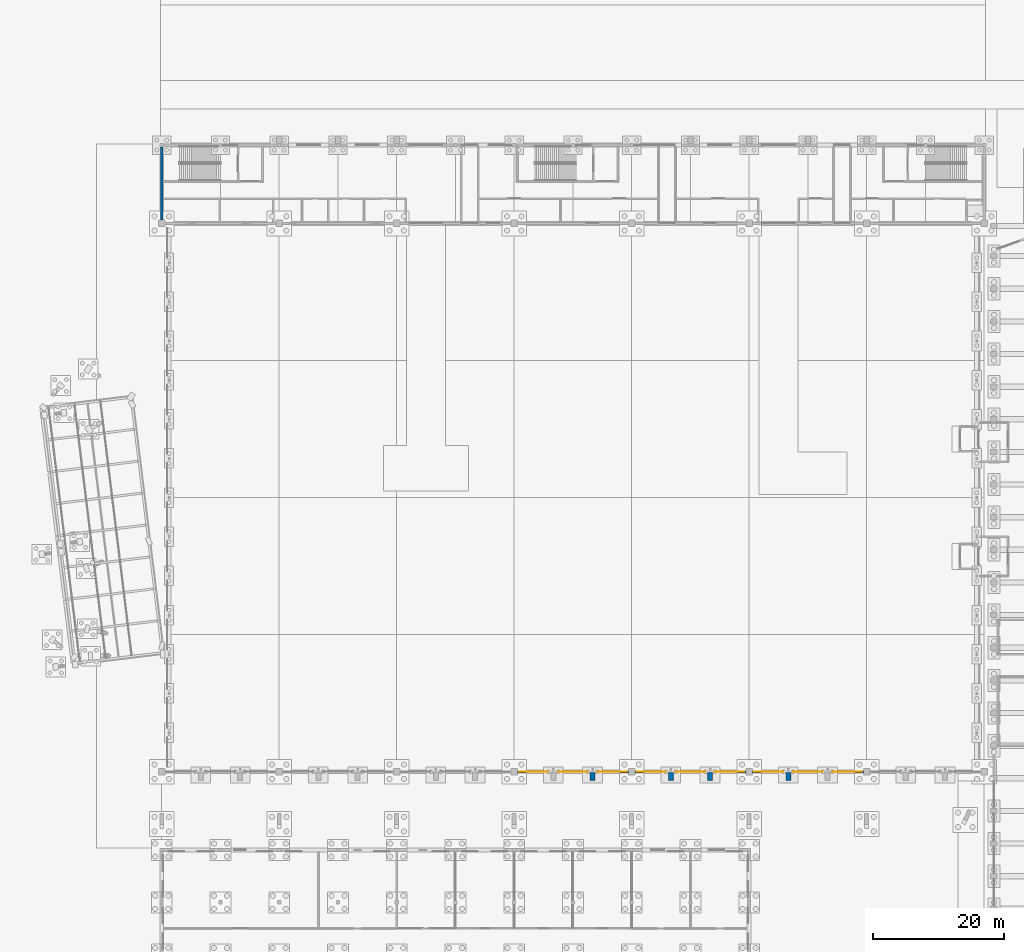
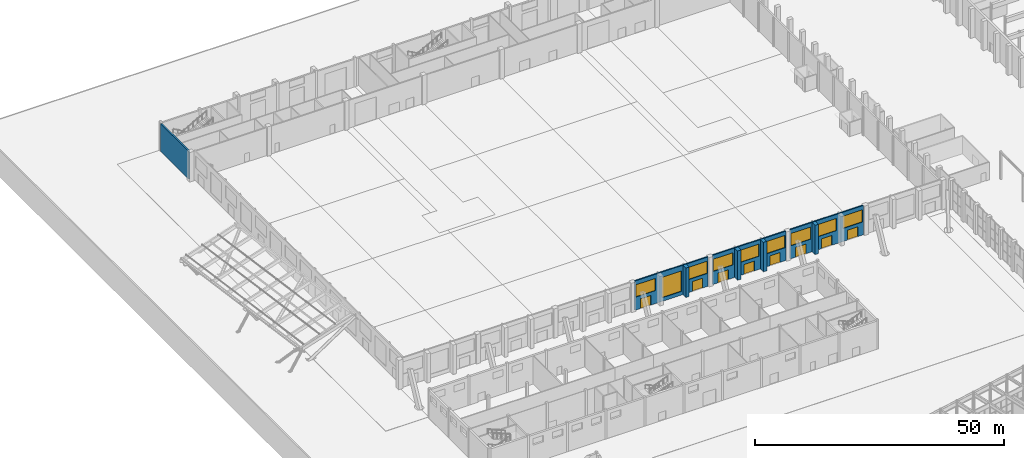
# One storey, part 178 of 239: 9 windows, 8 doors, 8 walls, 17 openings.
"""IFC4 building model written with IfcOpenShell, lengths in metres."""

from ifc_helpers import new_model, si_unit, direction, frame, frame_2d, origin, place, context, subcontext, project, spatial, rectangle, extrude, material, layer, layer_set, type_object, element, fill, save


model = new_model("IFC4")

# Units and contexts
model_context = context("Model", 3, precision=1e-05, world=origin(), true_north=direction((0.0, 1.0)))
body_context = subcontext(model_context, "Body", "Model", "MODEL_VIEW")
ifc_project = project(units=[si_unit("LENGTHUNIT", "METRE"), si_unit("AREAUNIT", "SQUARE_METRE"), si_unit("VOLUMEUNIT", "CUBIC_METRE"), si_unit("PLANEANGLEUNIT", "RADIAN"), si_unit("MASSUNIT", "GRAM", prefix="KILO")], contexts=[model_context])

# Site, building, storey
site_placement = place(None, origin())
site = spatial("IfcSite", under=ifc_project, at=site_placement, CompositionType="ELEMENT")
building_placement = place(site_placement, origin())
building = spatial("IfcBuilding", under=site, at=building_placement, Name="Okhra Congress Centre", CompositionType="ELEMENT")
storey_placement = place(building_placement, origin())
storey = spatial("IfcBuildingStorey", under=building, at=storey_placement, Name="L00", CompositionType="ELEMENT", Elevation=0.0)

# Walls
ifc_material_1 = material(Name="Concrete C35/45", Category="concrete")
ifc_layer_1 = layer(ifc_material_1, 0.800048828125)
ifc_layer_set_1 = layer_set([ifc_layer_1], Name="Buttress fin 800 REI 120 C35/45")
wall_type_1 = type_object("IfcWallType", Name="Buttress fin 800 REI 120 C35/45", PredefinedType="SOLIDWALL", material=ifc_layer_set_1)
for number, where, z_axis, x_axis, name in (
    (1, (94.0, 130.64990234375, 0.0), (0.0, 0.0, 1.0), (0.0, 1.0, 0.0), "EH.WALL.L00.15"),
    (2, (106.0, 130.64990234375, 0.0), (0.0, 0.0, 1.0), (0.0, 1.0, 0.0), "EH.WALL.L00.16"),
    (3, (112.0, 130.64990234375, 0.0), (0.0, 0.0, 1.0), (0.0, 1.0, 0.0), "EH.WALL.L00.17"),
    (4, (124.0, 130.64990234375, 0.0), (0.0, 0.0, 1.0), (0.0, 1.0, 0.0), "EH.WALL.L00.18"),
):
    element("IfcWall", number, at=place(storey_placement, frame(where, z_axis=z_axis, x_axis=x_axis)), inside=storey, type_object=wall_type_1, Name=name, PredefinedType="SOLIDWALL", context=body_context, shape_type="SweptSolid", body=[
        extrude(rectangle(XDim=1.210205078125, YDim=0.800048828125, at=frame_2d((0.60498046875, 0.0))), origin(), (0.0, 0.0, 1.0), 7.199951171875),
    ])

# Wall, openings, doors, windows
ifc_material_2 = material(Name="Insulated metal sandwich panel (mineral wool core)")
ifc_layer_2 = layer(ifc_material_2, 0.300048828125)
ifc_layer_set_2 = layer_set([ifc_layer_2], Name="Insulated wall panel 300")
wall_type_2 = type_object("IfcWallType", Name="Insulated wall panel 300", PredefinedType="SOLIDWALL", material=ifc_layer_set_2)
wall_1_placement = place(storey_placement, frame((82.5, 132.0, 0.0), z_axis=(0.0, 0.0, 1.0), x_axis=(1.0, 0.0, 0.0)))
wall_1 = element("IfcWall", 5, at=wall_1_placement, inside=storey, type_object=wall_type_2, Name="EH.WALL.L00.4", PredefinedType="SOLIDWALL", context=body_context, shape_type="SweptSolid", body=[
    extrude(rectangle(XDim=17.0, YDim=0.300048828125, at=frame_2d((8.5, 0.0))), origin(), (0.0, 0.0, 1.0), 7.199951171875),
])
opening_1_placement = place(wall_1_placement, frame((1.300048828125, 0.0, 0.0)))
opening_1 = element("IfcOpeningElement", 6, at=opening_1_placement, cuts=wall_1, Name="Opening L00-009", PredefinedType="OPENING", context=body_context, shape_type="SweptSolid", body=[
    extrude(rectangle(XDim=2.39990234375, YDim=2.39990234375, at=frame_2d((1.199951171875, 1.199951171875))), frame((0.0, 0.159912109375, 0.0), z_axis=(0.0, -1.0, 0.0), x_axis=(1.0, 0.0, 0.0)), (0.0, 0.0, 1.0), 0.320068359375),
])
opening_2_placement = place(wall_1_placement, frame((0.25, 0.0, 3.199951171875)))
opening_2 = element("IfcOpeningElement", 7, at=opening_2_placement, cuts=wall_1, Name="Opening WN1", PredefinedType="OPENING", context=body_context, shape_type="SweptSolid", body=[
    extrude(rectangle(XDim=4.5, YDim=3.0, at=frame_2d((2.25, 1.5))), frame((0.0, 0.159912109375, 0.0), z_axis=(0.0, -1.0, 0.0), x_axis=(1.0, 0.0, 0.0)), (0.0, 0.0, 1.0), 0.320068359375),
])
opening_3_placement = place(wall_1_placement, frame((6.25, 0.0, 0.89990234375)))
opening_3 = element("IfcOpeningElement", 8, at=opening_3_placement, cuts=wall_1, Name="Opening WN2", PredefinedType="OPENING", context=body_context, shape_type="SweptSolid", body=[
    extrude(rectangle(XDim=4.5, YDim=5.0, at=frame_2d((2.25, 2.5))), frame((0.0, 0.159912109375, 0.0), z_axis=(0.0, -1.0, 0.0), x_axis=(1.0, 0.0, 0.0)), (0.0, 0.0, 1.0), 0.320068359375),
])
opening_4_placement = place(wall_1_placement, frame((13.300048828125, 0.0, 0.0)))
opening_4 = element("IfcOpeningElement", 9, at=opening_4_placement, cuts=wall_1, Name="Opening L00-010", PredefinedType="OPENING", context=body_context, shape_type="SweptSolid", body=[
    extrude(rectangle(XDim=2.39990234375, YDim=2.39990234375, at=frame_2d((1.199951171875, 1.199951171875))), frame((0.0, 0.159912109375, 0.0), z_axis=(0.0, -1.0, 0.0), x_axis=(1.0, 0.0, 0.0)), (0.0, 0.0, 1.0), 0.320068359375),
])
opening_5_placement = place(wall_1_placement, frame((12.25, 0.0, 3.199951171875)))
opening_5 = element("IfcOpeningElement", 10, at=opening_5_placement, cuts=wall_1, Name="Opening WN1", PredefinedType="OPENING", context=body_context, shape_type="SweptSolid", body=[
    extrude(rectangle(XDim=4.5, YDim=3.0, at=frame_2d((2.25, 1.5))), frame((0.0, 0.159912109375, 0.0), z_axis=(0.0, -1.0, 0.0), x_axis=(1.0, 0.0, 0.0)), (0.0, 0.0, 1.0), 0.320068359375),
])
ifc_material_3 = material(Name="Timber door leaves in steel frame", Category="steel")
door_type = type_object("IfcDoorType", Name="Double swing door 2400x2400", OperationType="NOTDEFINED", PredefinedType="DOOR", material=ifc_material_3)
door_1_placement = place(opening_1_placement, frame((2.39990234375, 0.0, 0.0), z_axis=(0.0, 0.0, 1.0), x_axis=(-1.0, 0.0, 0.0)))
door_1 = element("IfcDoor", 11, at=door_1_placement, inside=storey, type_object=door_type, Name="Door L00-009", OperationType="DOUBLE_DOOR_SINGLE_SWING", OverallHeight=2.39990234375, OverallWidth=2.39990234375, PredefinedType="DOOR", context=body_context, shape_type="SweptSolid", body=[
    extrude(rectangle(XDim=2.39990234375, YDim=2.39990234375, at=frame_2d((1.199951171875, 1.199951171875))), frame((0.0, 0.02490234375, 0.0), z_axis=(0.0, -1.0, 0.0), x_axis=(1.0, 0.0, 0.0)), (0.0, 0.0, 1.0), 0.050048828125),
])
fill(opening_1, door_1)
door_2_placement = place(opening_4_placement, frame((2.39990234375, 0.0, 0.0), z_axis=(0.0, 0.0, 1.0), x_axis=(-1.0, 0.0, 0.0)))
door_2 = element("IfcDoor", 12, at=door_2_placement, inside=storey, type_object=door_type, Name="Door L00-010", OperationType="DOUBLE_DOOR_SINGLE_SWING", OverallHeight=2.39990234375, OverallWidth=2.39990234375, PredefinedType="DOOR", context=body_context, shape_type="SweptSolid", body=[
    extrude(rectangle(XDim=2.39990234375, YDim=2.39990234375, at=frame_2d((1.199951171875, 1.199951171875))), frame((0.0, 0.02490234375, 0.0), z_axis=(0.0, -1.0, 0.0), x_axis=(1.0, 0.0, 0.0)), (0.0, 0.0, 1.0), 0.050048828125),
])
fill(opening_4, door_2)
ifc_material_4 = material(Name="Thermally broken aluminium frame, triple glazing", Category="aluminium")
window_type_1 = type_object("IfcWindowType", Name="Fixed window 4500x3000", PartitioningType="SINGLE_PANEL", PredefinedType="WINDOW", material=ifc_material_4)
window_1_placement = place(opening_2_placement, origin())
window_1 = element("IfcWindow", 13, at=window_1_placement, inside=storey, type_object=window_type_1, Name="EH.WIN.L00.10", OverallHeight=3.0, OverallWidth=4.5, PartitioningType="SINGLE_PANEL", PredefinedType="WINDOW", context=body_context, shape_type="SweptSolid", body=[
    extrude(rectangle(XDim=4.5, YDim=3.0, at=frame_2d((2.25, 1.5))), frame((0.0, 0.030029296875, 0.0), z_axis=(0.0, -1.0, 0.0), x_axis=(1.0, 0.0, 0.0)), (0.0, 0.0, 1.0), 0.06005859375),
])
fill(opening_2, window_1)
window_2_placement = place(opening_5_placement, origin())
window_2 = element("IfcWindow", 14, at=window_2_placement, inside=storey, type_object=window_type_1, Name="EH.WIN.L00.12", OverallHeight=3.0, OverallWidth=4.5, PartitioningType="SINGLE_PANEL", PredefinedType="WINDOW", context=body_context, shape_type="SweptSolid", body=[
    extrude(rectangle(XDim=4.5, YDim=3.0, at=frame_2d((2.25, 1.5))), frame((0.0, 0.030029296875, 0.0), z_axis=(0.0, -1.0, 0.0), x_axis=(1.0, 0.0, 0.0)), (0.0, 0.0, 1.0), 0.06005859375),
])
fill(opening_5, window_2)
window_type_2 = type_object("IfcWindowType", Name="Fixed window 4500x5000", PartitioningType="SINGLE_PANEL", PredefinedType="WINDOW", material=ifc_material_4)
window_3_placement = place(opening_3_placement, origin())
window_3 = element("IfcWindow", 15, at=window_3_placement, inside=storey, type_object=window_type_2, Name="EH.WIN.L00.11", OverallHeight=5.0, OverallWidth=4.5, PartitioningType="SINGLE_PANEL", PredefinedType="WINDOW", context=body_context, shape_type="SweptSolid", body=[
    extrude(rectangle(XDim=4.5, YDim=5.0, at=frame_2d((2.25, 2.5))), frame((0.0, 0.030029296875, 0.0), z_axis=(0.0, -1.0, 0.0), x_axis=(1.0, 0.0, 0.0)), (0.0, 0.0, 1.0), 0.06005859375),
])
fill(opening_3, window_3)

wall_2_placement = place(storey_placement, frame((100.5, 132.0, 0.0), z_axis=(0.0, 0.0, 1.0), x_axis=(1.0, 0.0, 0.0)))
wall_2 = element("IfcWall", 16, at=wall_2_placement, inside=storey, type_object=wall_type_2, Name="EH.WALL.L00.5", PredefinedType="SOLIDWALL", context=body_context, shape_type="SweptSolid", body=[
    extrude(rectangle(XDim=17.0, YDim=0.300048828125, at=frame_2d((8.5, 0.0))), origin(), (0.0, 0.0, 1.0), 7.199951171875),
])
opening_6_placement = place(wall_2_placement, frame((1.300048828125, 0.0, 0.0)))
opening_6 = element("IfcOpeningElement", 17, at=opening_6_placement, cuts=wall_2, Name="Opening L00-011", PredefinedType="OPENING", context=body_context, shape_type="SweptSolid", body=[
    extrude(rectangle(XDim=2.39990234375, YDim=2.39990234375, at=frame_2d((1.199951171875, 1.199951171875))), frame((0.0, 0.159912109375, 0.0), z_axis=(0.0, -1.0, 0.0), x_axis=(1.0, 0.0, 0.0)), (0.0, 0.0, 1.0), 0.320068359375),
])
opening_7_placement = place(wall_2_placement, frame((0.25, 0.0, 3.199951171875)))
opening_7 = element("IfcOpeningElement", 18, at=opening_7_placement, cuts=wall_2, Name="Opening WN1", PredefinedType="OPENING", context=body_context, shape_type="SweptSolid", body=[
    extrude(rectangle(XDim=4.5, YDim=3.0, at=frame_2d((2.25, 1.5))), frame((0.0, 0.159912109375, 0.0), z_axis=(0.0, -1.0, 0.0), x_axis=(1.0, 0.0, 0.0)), (0.0, 0.0, 1.0), 0.320068359375),
])
opening_8_placement = place(wall_2_placement, frame((7.300048828125, 0.0, 0.0)))
opening_8 = element("IfcOpeningElement", 19, at=opening_8_placement, cuts=wall_2, Name="Opening L00-012", PredefinedType="OPENING", context=body_context, shape_type="SweptSolid", body=[
    extrude(rectangle(XDim=2.39990234375, YDim=2.39990234375, at=frame_2d((1.199951171875, 1.199951171875))), frame((0.0, 0.159912109375, 0.0), z_axis=(0.0, -1.0, 0.0), x_axis=(1.0, 0.0, 0.0)), (0.0, 0.0, 1.0), 0.320068359375),
])
opening_9_placement = place(wall_2_placement, frame((6.25, 0.0, 3.199951171875)))
opening_9 = element("IfcOpeningElement", 20, at=opening_9_placement, cuts=wall_2, Name="Opening WN1", PredefinedType="OPENING", context=body_context, shape_type="SweptSolid", body=[
    extrude(rectangle(XDim=4.5, YDim=3.0, at=frame_2d((2.25, 1.5))), frame((0.0, 0.159912109375, 0.0), z_axis=(0.0, -1.0, 0.0), x_axis=(1.0, 0.0, 0.0)), (0.0, 0.0, 1.0), 0.320068359375),
])
opening_10_placement = place(wall_2_placement, frame((13.300048828125, 0.0, 0.0)))
opening_10 = element("IfcOpeningElement", 21, at=opening_10_placement, cuts=wall_2, Name="Opening L00-013", PredefinedType="OPENING", context=body_context, shape_type="SweptSolid", body=[
    extrude(rectangle(XDim=2.39990234375, YDim=2.39990234375, at=frame_2d((1.199951171875, 1.199951171875))), frame((0.0, 0.159912109375, 0.0), z_axis=(0.0, -1.0, 0.0), x_axis=(1.0, 0.0, 0.0)), (0.0, 0.0, 1.0), 0.320068359375),
])
opening_11_placement = place(wall_2_placement, frame((12.25, 0.0, 3.199951171875)))
opening_11 = element("IfcOpeningElement", 22, at=opening_11_placement, cuts=wall_2, Name="Opening WN1", PredefinedType="OPENING", context=body_context, shape_type="SweptSolid", body=[
    extrude(rectangle(XDim=4.5, YDim=3.0, at=frame_2d((2.25, 1.5))), frame((0.0, 0.159912109375, 0.0), z_axis=(0.0, -1.0, 0.0), x_axis=(1.0, 0.0, 0.0)), (0.0, 0.0, 1.0), 0.320068359375),
])
door_3_placement = place(opening_6_placement, frame((2.39990234375, 0.0, 0.0), z_axis=(0.0, 0.0, 1.0), x_axis=(-1.0, 0.0, 0.0)))
door_3 = element("IfcDoor", 23, at=door_3_placement, inside=storey, type_object=door_type, Name="Door L00-011", OperationType="DOUBLE_DOOR_SINGLE_SWING", OverallHeight=2.39990234375, OverallWidth=2.39990234375, PredefinedType="DOOR", context=body_context, shape_type="SweptSolid", body=[
    extrude(rectangle(XDim=2.39990234375, YDim=2.39990234375, at=frame_2d((1.199951171875, 1.199951171875))), frame((0.0, 0.02490234375, 0.0), z_axis=(0.0, -1.0, 0.0), x_axis=(1.0, 0.0, 0.0)), (0.0, 0.0, 1.0), 0.050048828125),
])
fill(opening_6, door_3)
door_4_placement = place(opening_8_placement, frame((2.39990234375, 0.0, 0.0), z_axis=(0.0, 0.0, 1.0), x_axis=(-1.0, 0.0, 0.0)))
door_4 = element("IfcDoor", 24, at=door_4_placement, inside=storey, type_object=door_type, Name="Door L00-012", OperationType="DOUBLE_DOOR_SINGLE_SWING", OverallHeight=2.39990234375, OverallWidth=2.39990234375, PredefinedType="DOOR", context=body_context, shape_type="SweptSolid", body=[
    extrude(rectangle(XDim=2.39990234375, YDim=2.39990234375, at=frame_2d((1.199951171875, 1.199951171875))), frame((0.0, 0.02490234375, 0.0), z_axis=(0.0, -1.0, 0.0), x_axis=(1.0, 0.0, 0.0)), (0.0, 0.0, 1.0), 0.050048828125),
])
fill(opening_8, door_4)
door_5_placement = place(opening_10_placement, frame((2.39990234375, 0.0, 0.0), z_axis=(0.0, 0.0, 1.0), x_axis=(-1.0, 0.0, 0.0)))
door_5 = element("IfcDoor", 25, at=door_5_placement, inside=storey, type_object=door_type, Name="Door L00-013", OperationType="DOUBLE_DOOR_SINGLE_SWING", OverallHeight=2.39990234375, OverallWidth=2.39990234375, PredefinedType="DOOR", context=body_context, shape_type="SweptSolid", body=[
    extrude(rectangle(XDim=2.39990234375, YDim=2.39990234375, at=frame_2d((1.199951171875, 1.199951171875))), frame((0.0, 0.02490234375, 0.0), z_axis=(0.0, -1.0, 0.0), x_axis=(1.0, 0.0, 0.0)), (0.0, 0.0, 1.0), 0.050048828125),
])
fill(opening_10, door_5)
window_4_placement = place(opening_7_placement, origin())
window_4 = element("IfcWindow", 26, at=window_4_placement, inside=storey, type_object=window_type_1, Name="EH.WIN.L00.13", OverallHeight=3.0, OverallWidth=4.5, PartitioningType="SINGLE_PANEL", PredefinedType="WINDOW", context=body_context, shape_type="SweptSolid", body=[
    extrude(rectangle(XDim=4.5, YDim=3.0, at=frame_2d((2.25, 1.5))), frame((0.0, 0.030029296875, 0.0), z_axis=(0.0, -1.0, 0.0), x_axis=(1.0, 0.0, 0.0)), (0.0, 0.0, 1.0), 0.06005859375),
])
fill(opening_7, window_4)
window_5_placement = place(opening_9_placement, origin())
window_5 = element("IfcWindow", 27, at=window_5_placement, inside=storey, type_object=window_type_1, Name="EH.WIN.L00.14", OverallHeight=3.0, OverallWidth=4.5, PartitioningType="SINGLE_PANEL", PredefinedType="WINDOW", context=body_context, shape_type="SweptSolid", body=[
    extrude(rectangle(XDim=4.5, YDim=3.0, at=frame_2d((2.25, 1.5))), frame((0.0, 0.030029296875, 0.0), z_axis=(0.0, -1.0, 0.0), x_axis=(1.0, 0.0, 0.0)), (0.0, 0.0, 1.0), 0.06005859375),
])
fill(opening_9, window_5)
window_6_placement = place(opening_11_placement, origin())
window_6 = element("IfcWindow", 28, at=window_6_placement, inside=storey, type_object=window_type_1, Name="EH.WIN.L00.15", OverallHeight=3.0, OverallWidth=4.5, PartitioningType="SINGLE_PANEL", PredefinedType="WINDOW", context=body_context, shape_type="SweptSolid", body=[
    extrude(rectangle(XDim=4.5, YDim=3.0, at=frame_2d((2.25, 1.5))), frame((0.0, 0.030029296875, 0.0), z_axis=(0.0, -1.0, 0.0), x_axis=(1.0, 0.0, 0.0)), (0.0, 0.0, 1.0), 0.06005859375),
])
fill(opening_11, window_6)

wall_3_placement = place(storey_placement, frame((118.5, 132.0, 0.0), z_axis=(0.0, 0.0, 1.0), x_axis=(1.0, 0.0, 0.0)))
wall_3 = element("IfcWall", 29, at=wall_3_placement, inside=storey, type_object=wall_type_2, Name="EH.WALL.L00.6", PredefinedType="SOLIDWALL", context=body_context, shape_type="SweptSolid", body=[
    extrude(rectangle(XDim=17.0, YDim=0.300048828125, at=frame_2d((8.5, 0.0))), origin(), (0.0, 0.0, 1.0), 7.199951171875),
])
opening_12_placement = place(wall_3_placement, frame((1.300048828125, 0.0, 0.0)))
opening_12 = element("IfcOpeningElement", 30, at=opening_12_placement, cuts=wall_3, Name="Opening L00-014", PredefinedType="OPENING", context=body_context, shape_type="SweptSolid", body=[
    extrude(rectangle(XDim=2.39990234375, YDim=2.39990234375, at=frame_2d((1.199951171875, 1.199951171875))), frame((0.0, 0.159912109375, 0.0), z_axis=(0.0, -1.0, 0.0), x_axis=(1.0, 0.0, 0.0)), (0.0, 0.0, 1.0), 0.320068359375),
])
opening_13_placement = place(wall_3_placement, frame((0.25, 0.0, 3.199951171875)))
opening_13 = element("IfcOpeningElement", 31, at=opening_13_placement, cuts=wall_3, Name="Opening WN1", PredefinedType="OPENING", context=body_context, shape_type="SweptSolid", body=[
    extrude(rectangle(XDim=4.5, YDim=3.0, at=frame_2d((2.25, 1.5))), frame((0.0, 0.159912109375, 0.0), z_axis=(0.0, -1.0, 0.0), x_axis=(1.0, 0.0, 0.0)), (0.0, 0.0, 1.0), 0.320068359375),
])
opening_14_placement = place(wall_3_placement, frame((7.300048828125, 0.0, 0.0)))
opening_14 = element("IfcOpeningElement", 32, at=opening_14_placement, cuts=wall_3, Name="Opening L00-015", PredefinedType="OPENING", context=body_context, shape_type="SweptSolid", body=[
    extrude(rectangle(XDim=2.39990234375, YDim=2.39990234375, at=frame_2d((1.199951171875, 1.199951171875))), frame((0.0, 0.159912109375, 0.0), z_axis=(0.0, -1.0, 0.0), x_axis=(1.0, 0.0, 0.0)), (0.0, 0.0, 1.0), 0.320068359375),
])
opening_15_placement = place(wall_3_placement, frame((6.25, 0.0, 3.199951171875)))
opening_15 = element("IfcOpeningElement", 33, at=opening_15_placement, cuts=wall_3, Name="Opening WN1", PredefinedType="OPENING", context=body_context, shape_type="SweptSolid", body=[
    extrude(rectangle(XDim=4.5, YDim=3.0, at=frame_2d((2.25, 1.5))), frame((0.0, 0.159912109375, 0.0), z_axis=(0.0, -1.0, 0.0), x_axis=(1.0, 0.0, 0.0)), (0.0, 0.0, 1.0), 0.320068359375),
])
opening_16_placement = place(wall_3_placement, frame((13.300048828125, 0.0, 0.0)))
opening_16 = element("IfcOpeningElement", 34, at=opening_16_placement, cuts=wall_3, Name="Opening L00-016", PredefinedType="OPENING", context=body_context, shape_type="SweptSolid", body=[
    extrude(rectangle(XDim=2.39990234375, YDim=2.39990234375, at=frame_2d((1.199951171875, 1.199951171875))), frame((0.0, 0.159912109375, 0.0), z_axis=(0.0, -1.0, 0.0), x_axis=(1.0, 0.0, 0.0)), (0.0, 0.0, 1.0), 0.320068359375),
])
opening_17_placement = place(wall_3_placement, frame((12.25, 0.0, 3.199951171875)))
opening_17 = element("IfcOpeningElement", 35, at=opening_17_placement, cuts=wall_3, Name="Opening WN1", PredefinedType="OPENING", context=body_context, shape_type="SweptSolid", body=[
    extrude(rectangle(XDim=4.5, YDim=3.0, at=frame_2d((2.25, 1.5))), frame((0.0, 0.159912109375, 0.0), z_axis=(0.0, -1.0, 0.0), x_axis=(1.0, 0.0, 0.0)), (0.0, 0.0, 1.0), 0.320068359375),
])
door_6_placement = place(opening_12_placement, frame((2.39990234375, 0.0, 0.0), z_axis=(0.0, 0.0, 1.0), x_axis=(-1.0, 0.0, 0.0)))
door_6 = element("IfcDoor", 36, at=door_6_placement, inside=storey, type_object=door_type, Name="Door L00-014", OperationType="DOUBLE_DOOR_SINGLE_SWING", OverallHeight=2.39990234375, OverallWidth=2.39990234375, PredefinedType="DOOR", context=body_context, shape_type="SweptSolid", body=[
    extrude(rectangle(XDim=2.39990234375, YDim=2.39990234375, at=frame_2d((1.199951171875, 1.199951171875))), frame((0.0, 0.02490234375, 0.0), z_axis=(0.0, -1.0, 0.0), x_axis=(1.0, 0.0, 0.0)), (0.0, 0.0, 1.0), 0.050048828125),
])
fill(opening_12, door_6)
door_7_placement = place(opening_14_placement, frame((2.39990234375, 0.0, 0.0), z_axis=(0.0, 0.0, 1.0), x_axis=(-1.0, 0.0, 0.0)))
door_7 = element("IfcDoor", 37, at=door_7_placement, inside=storey, type_object=door_type, Name="Door L00-015", OperationType="DOUBLE_DOOR_SINGLE_SWING", OverallHeight=2.39990234375, OverallWidth=2.39990234375, PredefinedType="DOOR", context=body_context, shape_type="SweptSolid", body=[
    extrude(rectangle(XDim=2.39990234375, YDim=2.39990234375, at=frame_2d((1.199951171875, 1.199951171875))), frame((0.0, 0.02490234375, 0.0), z_axis=(0.0, -1.0, 0.0), x_axis=(1.0, 0.0, 0.0)), (0.0, 0.0, 1.0), 0.050048828125),
])
fill(opening_14, door_7)
door_8_placement = place(opening_16_placement, frame((2.39990234375, 0.0, 0.0), z_axis=(0.0, 0.0, 1.0), x_axis=(-1.0, 0.0, 0.0)))
door_8 = element("IfcDoor", 38, at=door_8_placement, inside=storey, type_object=door_type, Name="Door L00-016", OperationType="DOUBLE_DOOR_SINGLE_SWING", OverallHeight=2.39990234375, OverallWidth=2.39990234375, PredefinedType="DOOR", context=body_context, shape_type="SweptSolid", body=[
    extrude(rectangle(XDim=2.39990234375, YDim=2.39990234375, at=frame_2d((1.199951171875, 1.199951171875))), frame((0.0, 0.02490234375, 0.0), z_axis=(0.0, -1.0, 0.0), x_axis=(1.0, 0.0, 0.0)), (0.0, 0.0, 1.0), 0.050048828125),
])
fill(opening_16, door_8)
window_7_placement = place(opening_13_placement, origin())
window_7 = element("IfcWindow", 39, at=window_7_placement, inside=storey, type_object=window_type_1, Name="EH.WIN.L00.16", OverallHeight=3.0, OverallWidth=4.5, PartitioningType="SINGLE_PANEL", PredefinedType="WINDOW", context=body_context, shape_type="SweptSolid", body=[
    extrude(rectangle(XDim=4.5, YDim=3.0, at=frame_2d((2.25, 1.5))), frame((0.0, 0.030029296875, 0.0), z_axis=(0.0, -1.0, 0.0), x_axis=(1.0, 0.0, 0.0)), (0.0, 0.0, 1.0), 0.06005859375),
])
fill(opening_13, window_7)
window_8_placement = place(opening_15_placement, origin())
window_8 = element("IfcWindow", 40, at=window_8_placement, inside=storey, type_object=window_type_1, Name="EH.WIN.L00.17", OverallHeight=3.0, OverallWidth=4.5, PartitioningType="SINGLE_PANEL", PredefinedType="WINDOW", context=body_context, shape_type="SweptSolid", body=[
    extrude(rectangle(XDim=4.5, YDim=3.0, at=frame_2d((2.25, 1.5))), frame((0.0, 0.030029296875, 0.0), z_axis=(0.0, -1.0, 0.0), x_axis=(1.0, 0.0, 0.0)), (0.0, 0.0, 1.0), 0.06005859375),
])
fill(opening_15, window_8)
window_9_placement = place(opening_17_placement, origin())
window_9 = element("IfcWindow", 41, at=window_9_placement, inside=storey, type_object=window_type_1, Name="EH.WIN.L00.18", OverallHeight=3.0, OverallWidth=4.5, PartitioningType="SINGLE_PANEL", PredefinedType="WINDOW", context=body_context, shape_type="SweptSolid", body=[
    extrude(rectangle(XDim=4.5, YDim=3.0, at=frame_2d((2.25, 1.5))), frame((0.0, 0.030029296875, 0.0), z_axis=(0.0, -1.0, 0.0), x_axis=(1.0, 0.0, 0.0)), (0.0, 0.0, 1.0), 0.06005859375),
])
fill(opening_17, window_9)

# Wall
ifc_material_5 = material(Name="Concrete C30/37", Category="concrete")
ifc_layer_3 = layer(ifc_material_5, 0.35009765625)
ifc_layer_set_3 = layer_set([ifc_layer_3], Name="RC wall 350 REI 120 C30/37")
wall_type_3 = type_object("IfcWallType", Name="RC wall 350 REI 120 C30/37", PredefinedType="SOLIDWALL", material=ifc_layer_set_3)
wall_4_placement = place(storey_placement, frame((28.0, 216.5, 0.0), z_axis=(0.0, 0.0, 1.0), x_axis=(0.0, 1.0, 0.0)))
element("IfcWall", 42, at=wall_4_placement, inside=storey, type_object=wall_type_3, Name="EH.WALL.L00.37", PredefinedType="SOLIDWALL", context=body_context, shape_type="SweptSolid", body=[
    extrude(rectangle(XDim=11.25, YDim=0.35009765625, at=frame_2d((5.625, 0.0))), origin(), (0.0, 0.0, 1.0), 6.800048828125),
])

save(model, "model.ifc")
